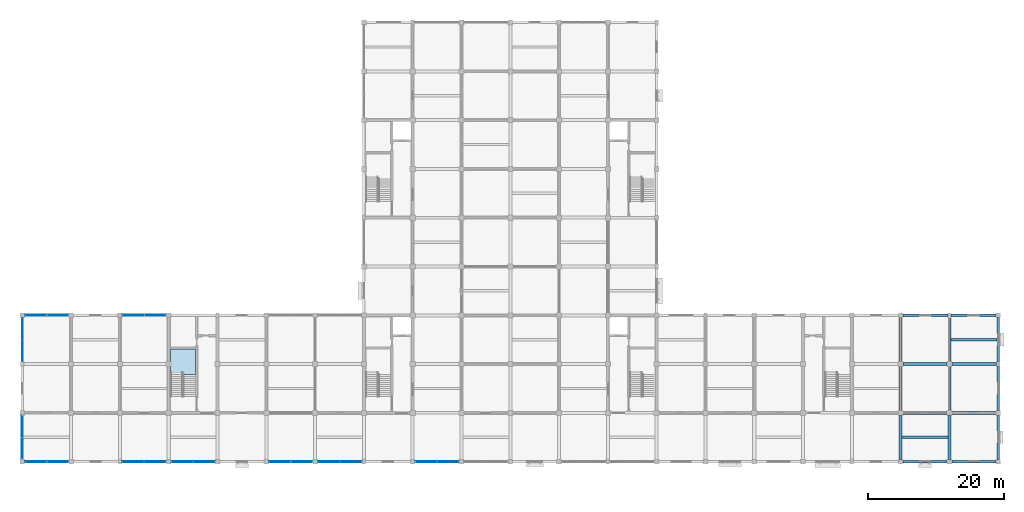
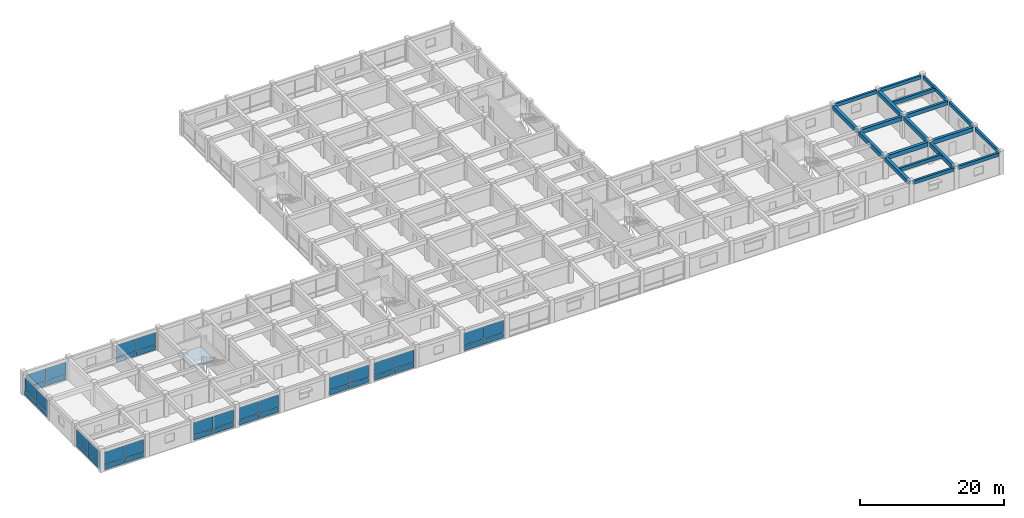
# One storey, part 11 of 25: 40 plates, 19 beams, 1 slab, 11 elements without a shape of their own.
"""IFC4 building model written with IfcOpenShell, lengths in metres."""

from ifc_helpers import new_model, si_unit, direction, frame, origin, origin_2d, place, context, subcontext, project, spatial, polyline, rectangle, outline, extrude, material, layer, layer_set, material_profile, profile_set, type_object, element, aggregate, save


model = new_model("IFC4")

# Units and contexts
model_context = context("Model", 3, precision=1e-05, world=origin(), true_north=direction((0.0, 1.0)))
body_context = subcontext(model_context, "Body", "Model", "MODEL_VIEW")
ifc_project = project(units=[si_unit("LENGTHUNIT", "METRE"), si_unit("AREAUNIT", "SQUARE_METRE"), si_unit("VOLUMEUNIT", "CUBIC_METRE"), si_unit("PLANEANGLEUNIT", "RADIAN"), si_unit("MASSUNIT", "GRAM", prefix="KILO")], contexts=[model_context])

# Site, building, storey
site_placement = place(None, origin())
site = spatial("IfcSite", under=ifc_project, at=site_placement, CompositionType="ELEMENT")
building_placement = place(site_placement, origin())
building = spatial("IfcBuilding", under=site, at=building_placement, Name="Cendaluz Park School", CompositionType="ELEMENT")
storey_placement = place(building_placement, frame((0.0, 0.0, 18.60009765625)))
storey = spatial("IfcBuildingStorey", under=building, at=storey_placement, Name="L04", CompositionType="ELEMENT", Elevation=18.60009765625)

# Beams
ifc_material_1 = material(Name="Concrete C40/50", Category="concrete")
ifc_material_profile_1 = material_profile(ifc_material_1, rectangle(XDim=0.449951171875, YDim=0.719970703125, at=origin_2d()), Name="RC 450x720", Category="concrete")
ifc_profile_set_1 = profile_set([ifc_material_profile_1], Name="Concrete C40/50")
beam_type_1 = type_object("IfcBeamType", Name="BM-RC02", PredefinedType="BEAM", material=ifc_profile_set_1)
for number, where, z_axis, x_axis, name in (
    (1, (144.375, 14.39990234375, 3.329833984375), (1.0, 0.0, 0.0), (0.0, 1.0, 0.0), "BM-L04-BMRC02-0104"),
    (2, (144.375, 21.60009765625, 3.329833984375), (1.0, 0.0, 0.0), (0.0, 1.0, 0.0), "BM-L04-BMRC02-0105"),
):
    element("IfcBeam", number, at=place(storey_placement, frame(where, z_axis=z_axis, x_axis=x_axis)), inside=storey, type_object=beam_type_1, Name=name, PredefinedType="BEAM", context=body_context, shape_type="SweptSolid", body=[
        extrude(rectangle(XDim=0.449951171875, YDim=0.719970703125, at=origin_2d()), origin(), (0.0, 0.0, 1.0), 6.449951171875),
    ])
beam_1_placement = place(storey_placement, frame((151.574951171875, 14.39990234375, 3.329833984375), z_axis=(1.0, 0.0, 0.0), x_axis=(0.0, 1.0, 0.0)))
element("IfcBeam", 3, at=beam_1_placement, inside=storey, type_object=beam_type_1, Name="BM-L04-BMRC02-0108", PredefinedType="BEAM", context=body_context, shape_type="SweptSolid", body=[
    extrude(rectangle(XDim=0.449951171875, YDim=0.719970703125, at=origin_2d()), origin(), (0.0, 0.0, 1.0), 6.47509765625),
])
beam_2_placement = place(storey_placement, frame((144.0, 7.550048828125, 3.329833984375), z_axis=(0.0, 1.0, 0.0), x_axis=(-1.0, 0.0, 0.0)))
element("IfcBeam", 4, at=beam_2_placement, inside=storey, type_object=beam_type_1, Name="BM-L04-BMRC02-0207", PredefinedType="BEAM", context=body_context, shape_type="SweptSolid", body=[
    extrude(rectangle(XDim=0.449951171875, YDim=0.719970703125, at=origin_2d()), origin(), (0.0, 0.0, 1.0), 6.474853515625),
])
beam_3_placement = place(storey_placement, frame((144.0, 14.77490234375, 3.329833984375), z_axis=(0.0, 1.0, 0.0), x_axis=(-1.0, 0.0, 0.0)))
element("IfcBeam", 5, at=beam_3_placement, inside=storey, type_object=beam_type_1, Name="BM-L04-BMRC02-0208", PredefinedType="BEAM", context=body_context, shape_type="SweptSolid", body=[
    extrude(rectangle(XDim=0.449951171875, YDim=0.719970703125, at=origin_2d()), origin(), (0.0, 0.0, 1.0), 6.4501953125),
])
for number, where, z_axis, x_axis, name in (
    (6, (144.0, 21.97509765625, 3.329833984375), (0.0, 1.0, 0.0), (-1.0, 0.0, 0.0), "BM-L04-BMRC02-0209"),
    (7, (151.199951171875, 7.550048828125, 3.329833984375), (0.0, 1.0, 0.0), (-1.0, 0.0, 0.0), "BM-L04-BMRC02-0210"),
):
    element("IfcBeam", number, at=place(storey_placement, frame(where, z_axis=z_axis, x_axis=x_axis)), inside=storey, type_object=beam_type_1, Name=name, PredefinedType="BEAM", context=body_context, shape_type="SweptSolid", body=[
        extrude(rectangle(XDim=0.449951171875, YDim=0.719970703125, at=origin_2d()), origin(), (0.0, 0.0, 1.0), 6.474853515625),
    ])
beam_4_placement = place(storey_placement, frame((151.199951171875, 14.77490234375, 3.329833984375), z_axis=(0.0, 1.0, 0.0), x_axis=(-1.0, 0.0, 0.0)))
element("IfcBeam", 8, at=beam_4_placement, inside=storey, type_object=beam_type_1, Name="BM-L04-BMRC02-0211", PredefinedType="BEAM", context=body_context, shape_type="SweptSolid", body=[
    extrude(rectangle(XDim=0.449951171875, YDim=0.719970703125, at=origin_2d()), origin(), (0.0, 0.0, 1.0), 6.4501953125),
])
beam_5_placement = place(storey_placement, frame((151.199951171875, 21.97509765625, 3.329833984375), z_axis=(0.0, 1.0, 0.0), x_axis=(-1.0, 0.0, 0.0)))
element("IfcBeam", 9, at=beam_5_placement, inside=storey, type_object=beam_type_1, Name="BM-L04-BMRC02-0212", PredefinedType="BEAM", context=body_context, shape_type="SweptSolid", body=[
    extrude(rectangle(XDim=0.449951171875, YDim=0.719970703125, at=origin_2d()), origin(), (0.0, 0.0, 1.0), 6.449951171875),
])
ifc_material_profile_2 = material_profile(ifc_material_1, rectangle(XDim=0.39990234375, YDim=0.64990234375, at=origin_2d()), Name="RC 400x650", Category="concrete")
ifc_profile_set_2 = profile_set([ifc_material_profile_2], Name="Concrete C40/50")
beam_type_2 = type_object("IfcBeamType", Name="BM-RC03", PredefinedType="T_BEAM", material=ifc_profile_set_2)
beam_6_placement = place(storey_placement, frame((151.574951171875, 21.60009765625, 3.364990234375), z_axis=(1.0, 0.0, 0.0), x_axis=(0.0, 1.0, 0.0)))
element("IfcBeam", 10, at=beam_6_placement, inside=storey, type_object=beam_type_2, Name="BM-L04-BMRC03-0109", PredefinedType="T_BEAM", context=body_context, shape_type="SweptSolid", body=[
    extrude(rectangle(XDim=0.39990234375, YDim=0.64990234375, at=origin_2d()), origin(), (0.0, 0.0, 1.0), 6.574951171875),
])
ifc_material_profile_3 = material_profile(ifc_material_1, rectangle(XDim=0.35009765625, YDim=0.580078125, at=origin_2d()), Name="RC 350x580", Category="concrete")
ifc_profile_set_3 = profile_set([ifc_material_profile_3], Name="Concrete C40/50")
beam_type_3 = type_object("IfcBeamType", Name="BM-RC04", PredefinedType="LINTEL", material=ifc_profile_set_3)
beam_7_placement = place(storey_placement, frame((144.35009765625, 7.199951171875, 3.39990234375), z_axis=(1.0, 0.0, 0.0), x_axis=(0.0, 1.0, 0.0)))
element("IfcBeam", 11, at=beam_7_placement, inside=storey, type_object=beam_type_3, Name="BM-L04-BMRC04-0103", PredefinedType="LINTEL", context=body_context, shape_type="SweptSolid", body=[
    extrude(rectangle(XDim=0.35009765625, YDim=0.580078125, at=origin_2d()), origin(), (0.0, 0.0, 1.0), 6.5),
])
beam_8_placement = place(storey_placement, frame((144.35009765625, 28.800048828125, 3.39990234375), z_axis=(1.0, 0.0, 0.0), x_axis=(0.0, 1.0, 0.0)))
element("IfcBeam", 12, at=beam_8_placement, inside=storey, type_object=beam_type_3, Name="BM-L04-BMRC04-0106", PredefinedType="LINTEL", context=body_context, shape_type="SweptSolid", body=[
    extrude(rectangle(XDim=0.35009765625, YDim=0.580078125, at=origin_2d()), origin(), (0.0, 0.0, 1.0), 6.599853515625),
])
beam_9_placement = place(storey_placement, frame((151.550048828125, 7.199951171875, 3.39990234375), z_axis=(1.0, 0.0, 0.0), x_axis=(0.0, 1.0, 0.0)))
element("IfcBeam", 13, at=beam_9_placement, inside=storey, type_object=beam_type_3, Name="BM-L04-BMRC04-0107", PredefinedType="LINTEL", context=body_context, shape_type="SweptSolid", body=[
    extrude(rectangle(XDim=0.35009765625, YDim=0.580078125, at=origin_2d()), origin(), (0.0, 0.0, 1.0), 6.5),
])
beam_10_placement = place(storey_placement, frame((151.449951171875, 28.800048828125, 3.39990234375), z_axis=(1.0, 0.0, 0.0), x_axis=(0.0, 1.0, 0.0)))
element("IfcBeam", 14, at=beam_10_placement, inside=storey, type_object=beam_type_3, Name="BM-L04-BMRC04-0110", PredefinedType="LINTEL", context=body_context, shape_type="SweptSolid", body=[
    extrude(rectangle(XDim=0.35009765625, YDim=0.580078125, at=origin_2d()), origin(), (0.0, 0.0, 1.0), 6.60009765625),
])
beam_11_placement = place(storey_placement, frame((158.39990234375, 7.550048828125, 3.39990234375), z_axis=(0.0, 1.0, 0.0), x_axis=(-1.0, 0.0, 0.0)))
element("IfcBeam", 15, at=beam_11_placement, inside=storey, type_object=beam_type_3, Name="BM-L04-BMRC04-0213", PredefinedType="LINTEL", context=body_context, shape_type="SweptSolid", body=[
    extrude(rectangle(XDim=0.35009765625, YDim=0.580078125, at=origin_2d()), origin(), (0.0, 0.0, 1.0), 6.5),
])
beam_12_placement = place(storey_placement, frame((158.39990234375, 14.75, 3.39990234375), z_axis=(0.0, 1.0, 0.0), x_axis=(-1.0, 0.0, 0.0)))
element("IfcBeam", 16, at=beam_12_placement, inside=storey, type_object=beam_type_3, Name="BM-L04-BMRC04-0214", PredefinedType="LINTEL", context=body_context, shape_type="SweptSolid", body=[
    extrude(rectangle(XDim=0.35009765625, YDim=0.580078125, at=origin_2d()), origin(), (0.0, 0.0, 1.0), 6.47509765625),
])
beam_13_placement = place(storey_placement, frame((158.39990234375, 21.97509765625, 3.39990234375), z_axis=(0.0, 1.0, 0.0), x_axis=(-1.0, 0.0, 0.0)))
element("IfcBeam", 17, at=beam_13_placement, inside=storey, type_object=beam_type_3, Name="BM-L04-BMRC04-0215", PredefinedType="LINTEL", context=body_context, shape_type="SweptSolid", body=[
    extrude(rectangle(XDim=0.35009765625, YDim=0.580078125, at=origin_2d()), origin(), (0.0, 0.0, 1.0), 6.474853515625),
])
ifc_material_profile_4 = material_profile(ifc_material_1, rectangle(XDim=0.35009765625, YDim=0.580078125, at=origin_2d()), Name="RC 350x580", Category="concrete")
ifc_profile_set_4 = profile_set([ifc_material_profile_4], Name="Concrete C40/50")
beam_type_4 = type_object("IfcBeamType", Name="JT-RC01", PredefinedType="JOIST", material=ifc_profile_set_4)
beam_14_placement = place(storey_placement, frame((144.22509765625, 10.800048828125, 3.39990234375), z_axis=(1.0, 0.0, 0.0), x_axis=(0.0, 1.0, 0.0)))
element("IfcBeam", 18, at=beam_14_placement, inside=storey, type_object=beam_type_4, Name="BM-L04-JTRC01-0242", PredefinedType="JOIST", context=body_context, shape_type="SweptSolid", body=[
    extrude(rectangle(XDim=0.35009765625, YDim=0.580078125, at=origin_2d()), origin(), (0.0, 0.0, 1.0), 6.75),
])
beam_15_placement = place(storey_placement, frame((151.425048828125, 25.199951171875, 3.39990234375), z_axis=(1.0, 0.0, 0.0), x_axis=(0.0, 1.0, 0.0)))
element("IfcBeam", 19, at=beam_15_placement, inside=storey, type_object=beam_type_4, Name="BM-L04-JTRC01-0243", PredefinedType="JOIST", context=body_context, shape_type="SweptSolid", body=[
    extrude(rectangle(XDim=0.35009765625, YDim=0.580078125, at=origin_2d()), origin(), (0.0, 0.0, 1.0), 6.800048828125),
])

# Curtain wall, plates
ifc_material_2 = material(Name="Anodised Aluminium 6063-T6", Category="aluminium")
ifc_layer_1 = layer(ifc_material_2, 0.179931640625)
ifc_layer_set_1 = layer_set([ifc_layer_1], Name="Anodised Aluminium 6063-T6")
curtain_wall_type_1 = type_object("IfcCurtainWallType", Name="CW-130x62", PredefinedType="NOTDEFINED", material=ifc_layer_set_1)
curtain_wall_1_placement = place(storey_placement, origin())
curtain_wall_1 = element("IfcCurtainWall", 20, at=curtain_wall_1_placement, inside=storey, type_object=curtain_wall_type_1, Name="CW-L04-168", PredefinedType="NOTDEFINED")
ifc_material_3 = material(Name="Tempered Low-E Double Glazing", Category="glass")
ifc_layer_2 = layer(ifc_material_3, 0.028076171875)
ifc_layer_set_2 = layer_set([ifc_layer_2], Name="Tempered Low-E Double Glazing")
plate_type_1 = type_object("IfcPlateType", Name="CWP-G01", PredefinedType="CURTAIN_PANEL", material=ifc_layer_set_2)
plate_1_placement = place(storey_placement, frame((52.39501953125, 7.199951171875, 0.93994140625), z_axis=(0.0, 0.0, 1.0), x_axis=(1.0, 0.0, 0.0)))
plate_1 = element("IfcPlate", 21, at=plate_1_placement, type_object=plate_type_1, Name="CP-L04-2179", PredefinedType="CURTAIN_PANEL", context=body_context, shape_type="SweptSolid", body=[
    extrude(rectangle(XDim=3.1298828125, YDim=0.028076171875, at=origin_2d()), origin(), (0.0, 0.0, 1.0), 2.090087890625),
])
plate_2_placement = place(storey_placement, frame((55.60498046875, 7.199951171875, 0.93994140625), z_axis=(0.0, 0.0, 1.0), x_axis=(1.0, 0.0, 0.0)))
plate_2 = element("IfcPlate", 22, at=plate_2_placement, type_object=plate_type_1, Name="CP-L04-2184", PredefinedType="CURTAIN_PANEL", context=body_context, shape_type="SweptSolid", body=[
    extrude(rectangle(XDim=3.1298828125, YDim=0.028076171875, at=origin_2d()), origin(), (0.0, 0.0, 1.0), 2.090087890625),
])

ifc_layer_3 = layer(ifc_material_2, 0.179931640625)
ifc_layer_set_3 = layer_set([ifc_layer_3], Name="Anodised Aluminium 6063-T6")
curtain_wall_type_2 = type_object("IfcCurtainWallType", Name="CW-132x62", PredefinedType="NOTDEFINED", material=ifc_layer_set_3)
curtain_wall_2_placement = place(storey_placement, origin())
curtain_wall_2 = element("IfcCurtainWall", 23, at=curtain_wall_2_placement, inside=storey, type_object=curtain_wall_type_2, Name="CW-L04-165", PredefinedType="NOTDEFINED")
ifc_layer_4 = layer(ifc_material_3, 0.0380859375)
ifc_layer_set_4 = layer_set([ifc_layer_4], Name="Tempered Low-E Double Glazing")
plate_type_2 = type_object("IfcPlateType", Name="CWP-G02", PredefinedType="CURTAIN_PANEL", material=ifc_layer_set_4)
plate_3_placement = place(storey_placement, frame((30.719970703125, 7.199951171875, 0.93994140625), z_axis=(0.0, 0.0, 1.0), x_axis=(1.0, 0.0, 0.0)))
plate_3 = element("IfcPlate", 24, at=plate_3_placement, type_object=plate_type_2, Name="CP-L04-2140", PredefinedType="CURTAIN_PANEL", context=body_context, shape_type="SweptSolid", body=[
    extrude(rectangle(XDim=3.179931640625, YDim=0.0380859375, at=origin_2d()), origin(), (0.0, 0.0, 1.0), 2.090087890625),
])
plate_4_placement = place(storey_placement, frame((33.97998046875, 7.199951171875, 0.93994140625), z_axis=(0.0, 0.0, 1.0), x_axis=(1.0, 0.0, 0.0)))
plate_4 = element("IfcPlate", 25, at=plate_4_placement, type_object=plate_type_2, Name="CP-L04-2145", PredefinedType="CURTAIN_PANEL", context=body_context, shape_type="SweptSolid", body=[
    extrude(rectangle(XDim=3.179931640625, YDim=0.0380859375, at=origin_2d()), origin(), (0.0, 0.0, 1.0), 2.090087890625),
])

curtain_wall_3_placement = place(storey_placement, origin())
curtain_wall_3 = element("IfcCurtainWall", 26, at=curtain_wall_3_placement, inside=storey, type_object=curtain_wall_type_1, Name="CW-L04-166", PredefinedType="NOTDEFINED")
plate_5_placement = place(storey_placement, frame((30.794921875, 28.800048828125, 0.93994140625), z_axis=(0.0, 0.0, 1.0), x_axis=(1.0, 0.0, 0.0)))
plate_5 = element("IfcPlate", 27, at=plate_5_placement, type_object=plate_type_2, Name="CP-L04-2153", PredefinedType="CURTAIN_PANEL", context=body_context, shape_type="SweptSolid", body=[
    extrude(rectangle(XDim=3.1298828125, YDim=0.0380859375, at=origin_2d()), origin(), (0.0, 0.0, 1.0), 2.090087890625),
])
plate_6_placement = place(storey_placement, frame((34.0048828125, 28.800048828125, 0.93994140625), z_axis=(0.0, 0.0, 1.0), x_axis=(1.0, 0.0, 0.0)))
plate_6 = element("IfcPlate", 28, at=plate_6_placement, type_object=plate_type_2, Name="CP-L04-2158", PredefinedType="CURTAIN_PANEL", context=body_context, shape_type="SweptSolid", body=[
    extrude(rectangle(XDim=3.1298828125, YDim=0.0380859375, at=origin_2d()), origin(), (0.0, 0.0, 1.0), 2.090087890625),
])

curtain_wall_4_placement = place(storey_placement, origin())
curtain_wall_4 = element("IfcCurtainWall", 29, at=curtain_wall_4_placement, inside=storey, type_object=curtain_wall_type_2, Name="CW-L04-170", PredefinedType="NOTDEFINED")
plate_7_placement = place(storey_placement, frame((59.6201171875, 7.199951171875, 0.93994140625), z_axis=(0.0, 0.0, 1.0), x_axis=(1.0, 0.0, 0.0)))
plate_7 = element("IfcPlate", 30, at=plate_7_placement, type_object=plate_type_2, Name="CP-L04-2205", PredefinedType="CURTAIN_PANEL", context=body_context, shape_type="SweptSolid", body=[
    extrude(rectangle(XDim=3.179931640625, YDim=0.0380859375, at=origin_2d()), origin(), (0.0, 0.0, 1.0), 2.090087890625),
])
plate_8_placement = place(storey_placement, frame((62.8798828125, 7.199951171875, 0.93994140625), z_axis=(0.0, 0.0, 1.0), x_axis=(1.0, 0.0, 0.0)))
plate_8 = element("IfcPlate", 31, at=plate_8_placement, type_object=plate_type_2, Name="CP-L04-2210", PredefinedType="CURTAIN_PANEL", context=body_context, shape_type="SweptSolid", body=[
    extrude(rectangle(XDim=3.179931640625, YDim=0.0380859375, at=origin_2d()), origin(), (0.0, 0.0, 1.0), 2.090087890625),
])

curtain_wall_5_placement = place(storey_placement, origin())
curtain_wall_5 = element("IfcCurtainWall", 32, at=curtain_wall_5_placement, inside=storey, type_object=curtain_wall_type_1, Name="CW-L04-167", PredefinedType="NOTDEFINED")
ifc_layer_5 = layer(ifc_material_3, 0.048095703125)
ifc_layer_set_5 = layer_set([ifc_layer_5], Name="Tempered Low-E Double Glazing")
plate_type_3 = type_object("IfcPlateType", Name="CWP-G03", PredefinedType="CURTAIN_PANEL", material=ifc_layer_set_5)
plate_9_placement = place(storey_placement, frame((37.9951171875, 7.199951171875, 0.93994140625), z_axis=(0.0, 0.0, 1.0), x_axis=(1.0, 0.0, 0.0)))
plate_9 = element("IfcPlate", 33, at=plate_9_placement, type_object=plate_type_3, Name="CP-L04-2166", PredefinedType="CURTAIN_PANEL", context=body_context, shape_type="SweptSolid", body=[
    extrude(rectangle(XDim=3.1298828125, YDim=0.048095703125, at=origin_2d()), origin(), (0.0, 0.0, 1.0), 2.090087890625),
])
plate_10_placement = place(storey_placement, frame((41.205078125, 7.199951171875, 0.93994140625), z_axis=(0.0, 0.0, 1.0), x_axis=(1.0, 0.0, 0.0)))
plate_10 = element("IfcPlate", 34, at=plate_10_placement, type_object=plate_type_3, Name="CP-L04-2171", PredefinedType="CURTAIN_PANEL", context=body_context, shape_type="SweptSolid", body=[
    extrude(rectangle(XDim=3.1298828125, YDim=0.048095703125, at=origin_2d()), origin(), (0.0, 0.0, 1.0), 2.090087890625),
])

curtain_wall_6_placement = place(storey_placement, origin())
curtain_wall_6 = element("IfcCurtainWall", 35, at=curtain_wall_6_placement, inside=storey, type_object=curtain_wall_type_1, Name="CW-L04-161", PredefinedType="NOTDEFINED")
ifc_layer_6 = layer(ifc_material_3, 0.05810546875)
ifc_layer_set_6 = layer_set([ifc_layer_6], Name="Tempered Low-E Double Glazing")
plate_type_4 = type_object("IfcPlateType", Name="CWP-G04", PredefinedType="CURTAIN_PANEL", material=ifc_layer_set_6)
plate_11_placement = place(storey_placement, frame((16.39501953125, 7.199951171875, 0.93994140625), z_axis=(0.0, 0.0, 1.0), x_axis=(1.0, 0.0, 0.0)))
plate_11 = element("IfcPlate", 36, at=plate_11_placement, type_object=plate_type_4, Name="CP-L04-2088", PredefinedType="CURTAIN_PANEL", context=body_context, shape_type="SweptSolid", body=[
    extrude(rectangle(XDim=3.1298828125, YDim=0.05810546875, at=origin_2d()), origin(), (0.0, 0.0, 1.0), 2.090087890625),
])
plate_12_placement = place(storey_placement, frame((19.60498046875, 7.199951171875, 0.93994140625), z_axis=(0.0, 0.0, 1.0), x_axis=(1.0, 0.0, 0.0)))
plate_12 = element("IfcPlate", 37, at=plate_12_placement, type_object=plate_type_4, Name="CP-L04-2093", PredefinedType="CURTAIN_PANEL", context=body_context, shape_type="SweptSolid", body=[
    extrude(rectangle(XDim=3.1298828125, YDim=0.05810546875, at=origin_2d()), origin(), (0.0, 0.0, 1.0), 2.090087890625),
])

curtain_wall_7_placement = place(storey_placement, origin())
curtain_wall_7 = element("IfcCurtainWall", 38, at=curtain_wall_7_placement, inside=storey, type_object=curtain_wall_type_1, Name="CW-L04-162", PredefinedType="NOTDEFINED")
plate_13_placement = place(storey_placement, frame((14.39990234375, 9.195068359375, 0.93994140625), z_axis=(0.0, 0.0, 1.0), x_axis=(0.0, 1.0, 0.0)))
plate_13 = element("IfcPlate", 39, at=plate_13_placement, type_object=plate_type_4, Name="CP-L04-2101", PredefinedType="CURTAIN_PANEL", context=body_context, shape_type="SweptSolid", body=[
    extrude(rectangle(XDim=3.1298828125, YDim=0.05810546875, at=origin_2d()), origin(), (0.0, 0.0, 1.0), 2.090087890625),
])
plate_14_placement = place(storey_placement, frame((14.39990234375, 12.405029296875, 0.93994140625), z_axis=(0.0, 0.0, 1.0), x_axis=(0.0, 1.0, 0.0)))
plate_14 = element("IfcPlate", 40, at=plate_14_placement, type_object=plate_type_4, Name="CP-L04-2106", PredefinedType="CURTAIN_PANEL", context=body_context, shape_type="SweptSolid", body=[
    extrude(rectangle(XDim=3.1298828125, YDim=0.05810546875, at=origin_2d()), origin(), (0.0, 0.0, 1.0), 2.090087890625),
])

curtain_wall_8_placement = place(storey_placement, origin())
curtain_wall_8 = element("IfcCurtainWall", 41, at=curtain_wall_8_placement, inside=storey, type_object=curtain_wall_type_1, Name="CW-L04-163", PredefinedType="NOTDEFINED")
plate_15_placement = place(storey_placement, frame((16.39501953125, 28.800048828125, 0.93994140625), z_axis=(0.0, 0.0, 1.0), x_axis=(1.0, 0.0, 0.0)))
plate_15 = element("IfcPlate", 42, at=plate_15_placement, type_object=plate_type_4, Name="CP-L04-2114", PredefinedType="CURTAIN_PANEL", context=body_context, shape_type="SweptSolid", body=[
    extrude(rectangle(XDim=3.1298828125, YDim=0.05810546875, at=origin_2d()), origin(), (0.0, 0.0, 1.0), 2.090087890625),
])
plate_16_placement = place(storey_placement, frame((19.60498046875, 28.800048828125, 0.93994140625), z_axis=(0.0, 0.0, 1.0), x_axis=(1.0, 0.0, 0.0)))
plate_16 = element("IfcPlate", 43, at=plate_16_placement, type_object=plate_type_4, Name="CP-L04-2119", PredefinedType="CURTAIN_PANEL", context=body_context, shape_type="SweptSolid", body=[
    extrude(rectangle(XDim=3.1298828125, YDim=0.05810546875, at=origin_2d()), origin(), (0.0, 0.0, 1.0), 2.090087890625),
])

curtain_wall_9_placement = place(storey_placement, origin())
curtain_wall_9 = element("IfcCurtainWall", 44, at=curtain_wall_9_placement, inside=storey, type_object=curtain_wall_type_1, Name="CW-L04-164", PredefinedType="NOTDEFINED")
plate_17_placement = place(storey_placement, frame((14.39990234375, 23.61376953125, 0.93994140625), z_axis=(0.0, 0.0, 1.0), x_axis=(0.0, 1.0, 0.0)))
plate_17 = element("IfcPlate", 45, at=plate_17_placement, type_object=plate_type_4, Name="CP-L04-2127", PredefinedType="CURTAIN_PANEL", context=body_context, shape_type="SweptSolid", body=[
    extrude(rectangle(XDim=3.117431640625, YDim=0.05810546875, at=origin_2d()), origin(), (0.0, 0.0, 1.0), 2.090087890625),
])
plate_18_placement = place(storey_placement, frame((14.39990234375, 26.811279296875, 0.93994140625), z_axis=(0.0, 0.0, 1.0), x_axis=(0.0, 1.0, 0.0)))
plate_18 = element("IfcPlate", 46, at=plate_18_placement, type_object=plate_type_4, Name="CP-L04-2132", PredefinedType="CURTAIN_PANEL", context=body_context, shape_type="SweptSolid", body=[
    extrude(rectangle(XDim=3.117431640625, YDim=0.05810546875, at=origin_2d()), origin(), (0.0, 0.0, 1.0), 2.090087890625),
])

curtain_wall_10_placement = place(storey_placement, origin())
curtain_wall_10 = element("IfcCurtainWall", 47, at=curtain_wall_10_placement, inside=storey, type_object=curtain_wall_type_1, Name="CW-L04-175", PredefinedType="NOTDEFINED")
plate_19_placement = place(storey_placement, frame((73.9951171875, 7.199951171875, 0.93994140625), z_axis=(0.0, 0.0, 1.0), x_axis=(1.0, 0.0, 0.0)))
plate_19 = element("IfcPlate", 48, at=plate_19_placement, type_object=plate_type_4, Name="CP-L04-2270", PredefinedType="CURTAIN_PANEL", context=body_context, shape_type="SweptSolid", body=[
    extrude(rectangle(XDim=3.1298828125, YDim=0.05810546875, at=origin_2d()), origin(), (0.0, 0.0, 1.0), 2.090087890625),
])
plate_20_placement = place(storey_placement, frame((77.205078125, 7.199951171875, 0.93994140625), z_axis=(0.0, 0.0, 1.0), x_axis=(1.0, 0.0, 0.0)))
plate_20 = element("IfcPlate", 49, at=plate_20_placement, type_object=plate_type_4, Name="CP-L04-2275", PredefinedType="CURTAIN_PANEL", context=body_context, shape_type="SweptSolid", body=[
    extrude(rectangle(XDim=3.1298828125, YDim=0.05810546875, at=origin_2d()), origin(), (0.0, 0.0, 1.0), 2.090087890625),
])

# Plate
ifc_layer_7 = layer(ifc_material_2, 0.080078125)
ifc_layer_set_7 = layer_set([ifc_layer_7], Name="Anodised Aluminium 6063-T6")
plate_type_5 = type_object("IfcPlateType", Name="CWP-S01", PredefinedType="CURTAIN_PANEL", material=ifc_layer_set_7)
plate_21_placement = place(storey_placement, frame((14.39990234375, 23.61376953125, 0.080078125), z_axis=(0.0, 0.0, 1.0), x_axis=(0.0, 1.0, 0.0)))
plate_21 = element("IfcPlate", 50, at=plate_21_placement, type_object=plate_type_5, Name="CP-L04-2126", PredefinedType="CURTAIN_PANEL", context=body_context, shape_type="SweptSolid", body=[
    extrude(rectangle(XDim=3.117431640625, YDim=0.080078125, at=origin_2d()), origin(), (0.0, 0.0, 1.0), 0.780029296875),
])

plate_22_placement = place(storey_placement, frame((14.39990234375, 26.811279296875, 0.080078125), z_axis=(0.0, 0.0, 1.0), x_axis=(0.0, 1.0, 0.0)))
plate_22 = element("IfcPlate", 51, at=plate_22_placement, type_object=plate_type_5, Name="CP-L04-2131", PredefinedType="CURTAIN_PANEL", context=body_context, shape_type="SweptSolid", body=[
    extrude(rectangle(XDim=3.117431640625, YDim=0.080078125, at=origin_2d()), origin(), (0.0, 0.0, 1.0), 0.780029296875),
])

aggregate(curtain_wall_9, [plate_21, plate_17, plate_22, plate_18])

ifc_layer_8 = layer(ifc_material_2, 0.094970703125)
ifc_layer_set_8 = layer_set([ifc_layer_8], Name="Anodised Aluminium 6063-T6")
plate_type_6 = type_object("IfcPlateType", Name="CWP-S02", PredefinedType="CURTAIN_PANEL", material=ifc_layer_set_8)
plate_23_placement = place(storey_placement, frame((16.39501953125, 28.800048828125, 0.080078125), z_axis=(0.0, 0.0, 1.0), x_axis=(1.0, 0.0, 0.0)))
plate_23 = element("IfcPlate", 52, at=plate_23_placement, type_object=plate_type_6, Name="CP-L04-2113", PredefinedType="CURTAIN_PANEL", context=body_context, shape_type="SweptSolid", body=[
    extrude(rectangle(XDim=3.1298828125, YDim=0.094970703125, at=origin_2d()), origin(), (0.0, 0.0, 1.0), 0.780029296875),
])

plate_24_placement = place(storey_placement, frame((19.60498046875, 28.800048828125, 0.080078125), z_axis=(0.0, 0.0, 1.0), x_axis=(1.0, 0.0, 0.0)))
plate_24 = element("IfcPlate", 53, at=plate_24_placement, type_object=plate_type_6, Name="CP-L04-2118", PredefinedType="CURTAIN_PANEL", context=body_context, shape_type="SweptSolid", body=[
    extrude(rectangle(XDim=3.1298828125, YDim=0.094970703125, at=origin_2d()), origin(), (0.0, 0.0, 1.0), 0.780029296875),
])

aggregate(curtain_wall_8, [plate_23, plate_15, plate_24, plate_16])

plate_25_placement = place(storey_placement, frame((30.794921875, 28.800048828125, 0.080078125), z_axis=(0.0, 0.0, 1.0), x_axis=(1.0, 0.0, 0.0)))
plate_25 = element("IfcPlate", 54, at=plate_25_placement, type_object=plate_type_6, Name="CP-L04-2152", PredefinedType="CURTAIN_PANEL", context=body_context, shape_type="SweptSolid", body=[
    extrude(rectangle(XDim=3.1298828125, YDim=0.094970703125, at=origin_2d()), origin(), (0.0, 0.0, 1.0), 0.780029296875),
])

plate_26_placement = place(storey_placement, frame((34.0048828125, 28.800048828125, 0.080078125), z_axis=(0.0, 0.0, 1.0), x_axis=(1.0, 0.0, 0.0)))
plate_26 = element("IfcPlate", 55, at=plate_26_placement, type_object=plate_type_6, Name="CP-L04-2157", PredefinedType="CURTAIN_PANEL", context=body_context, shape_type="SweptSolid", body=[
    extrude(rectangle(XDim=3.1298828125, YDim=0.094970703125, at=origin_2d()), origin(), (0.0, 0.0, 1.0), 0.780029296875),
])

aggregate(curtain_wall_3, [plate_25, plate_5, plate_26, plate_6])

ifc_layer_9 = layer(ifc_material_2, 0.110107421875)
ifc_layer_set_9 = layer_set([ifc_layer_9], Name="Anodised Aluminium 6063-T6")
plate_type_7 = type_object("IfcPlateType", Name="CWP-S03", PredefinedType="CURTAIN_PANEL", material=ifc_layer_set_9)
plate_27_placement = place(storey_placement, frame((16.39501953125, 7.199951171875, 0.080078125), z_axis=(0.0, 0.0, 1.0), x_axis=(1.0, 0.0, 0.0)))
plate_27 = element("IfcPlate", 56, at=plate_27_placement, type_object=plate_type_7, Name="CP-L04-2087", PredefinedType="CURTAIN_PANEL", context=body_context, shape_type="SweptSolid", body=[
    extrude(rectangle(XDim=3.1298828125, YDim=0.110107421875, at=origin_2d()), origin(), (0.0, 0.0, 1.0), 0.780029296875),
])

plate_28_placement = place(storey_placement, frame((19.60498046875, 7.199951171875, 0.080078125), z_axis=(0.0, 0.0, 1.0), x_axis=(1.0, 0.0, 0.0)))
plate_28 = element("IfcPlate", 57, at=plate_28_placement, type_object=plate_type_7, Name="CP-L04-2092", PredefinedType="CURTAIN_PANEL", context=body_context, shape_type="SweptSolid", body=[
    extrude(rectangle(XDim=3.1298828125, YDim=0.110107421875, at=origin_2d()), origin(), (0.0, 0.0, 1.0), 0.780029296875),
])

aggregate(curtain_wall_6, [plate_27, plate_11, plate_28, plate_12])

plate_29_placement = place(storey_placement, frame((14.39990234375, 9.195068359375, 0.080078125), z_axis=(0.0, 0.0, 1.0), x_axis=(0.0, 1.0, 0.0)))
plate_29 = element("IfcPlate", 58, at=plate_29_placement, type_object=plate_type_7, Name="CP-L04-2100", PredefinedType="CURTAIN_PANEL", context=body_context, shape_type="SweptSolid", body=[
    extrude(rectangle(XDim=3.1298828125, YDim=0.110107421875, at=origin_2d()), origin(), (0.0, 0.0, 1.0), 0.780029296875),
])

plate_30_placement = place(storey_placement, frame((14.39990234375, 12.405029296875, 0.080078125), z_axis=(0.0, 0.0, 1.0), x_axis=(0.0, 1.0, 0.0)))
plate_30 = element("IfcPlate", 59, at=plate_30_placement, type_object=plate_type_7, Name="CP-L04-2105", PredefinedType="CURTAIN_PANEL", context=body_context, shape_type="SweptSolid", body=[
    extrude(rectangle(XDim=3.1298828125, YDim=0.110107421875, at=origin_2d()), origin(), (0.0, 0.0, 1.0), 0.780029296875),
])

aggregate(curtain_wall_7, [plate_29, plate_13, plate_30, plate_14])

plate_31_placement = place(storey_placement, frame((30.719970703125, 7.199951171875, 0.080078125), z_axis=(0.0, 0.0, 1.0), x_axis=(1.0, 0.0, 0.0)))
plate_31 = element("IfcPlate", 60, at=plate_31_placement, type_object=plate_type_7, Name="CP-L04-2139", PredefinedType="CURTAIN_PANEL", context=body_context, shape_type="SweptSolid", body=[
    extrude(rectangle(XDim=3.179931640625, YDim=0.110107421875, at=origin_2d()), origin(), (0.0, 0.0, 1.0), 0.780029296875),
])

plate_32_placement = place(storey_placement, frame((33.97998046875, 7.199951171875, 0.080078125), z_axis=(0.0, 0.0, 1.0), x_axis=(1.0, 0.0, 0.0)))
plate_32 = element("IfcPlate", 61, at=plate_32_placement, type_object=plate_type_7, Name="CP-L04-2144", PredefinedType="CURTAIN_PANEL", context=body_context, shape_type="SweptSolid", body=[
    extrude(rectangle(XDim=3.179931640625, YDim=0.110107421875, at=origin_2d()), origin(), (0.0, 0.0, 1.0), 0.780029296875),
])

aggregate(curtain_wall_2, [plate_31, plate_3, plate_32, plate_4])

plate_33_placement = place(storey_placement, frame((37.9951171875, 7.199951171875, 0.080078125), z_axis=(0.0, 0.0, 1.0), x_axis=(1.0, 0.0, 0.0)))
plate_33 = element("IfcPlate", 62, at=plate_33_placement, type_object=plate_type_7, Name="CP-L04-2165", PredefinedType="CURTAIN_PANEL", context=body_context, shape_type="SweptSolid", body=[
    extrude(rectangle(XDim=3.1298828125, YDim=0.110107421875, at=origin_2d()), origin(), (0.0, 0.0, 1.0), 0.780029296875),
])

plate_34_placement = place(storey_placement, frame((41.205078125, 7.199951171875, 0.080078125), z_axis=(0.0, 0.0, 1.0), x_axis=(1.0, 0.0, 0.0)))
plate_34 = element("IfcPlate", 63, at=plate_34_placement, type_object=plate_type_7, Name="CP-L04-2170", PredefinedType="CURTAIN_PANEL", context=body_context, shape_type="SweptSolid", body=[
    extrude(rectangle(XDim=3.1298828125, YDim=0.110107421875, at=origin_2d()), origin(), (0.0, 0.0, 1.0), 0.780029296875),
])

aggregate(curtain_wall_5, [plate_33, plate_9, plate_34, plate_10])

plate_35_placement = place(storey_placement, frame((52.39501953125, 7.199951171875, 0.080078125), z_axis=(0.0, 0.0, 1.0), x_axis=(1.0, 0.0, 0.0)))
plate_35 = element("IfcPlate", 64, at=plate_35_placement, type_object=plate_type_7, Name="CP-L04-2178", PredefinedType="CURTAIN_PANEL", context=body_context, shape_type="SweptSolid", body=[
    extrude(rectangle(XDim=3.1298828125, YDim=0.110107421875, at=origin_2d()), origin(), (0.0, 0.0, 1.0), 0.780029296875),
])

plate_36_placement = place(storey_placement, frame((55.60498046875, 7.199951171875, 0.080078125), z_axis=(0.0, 0.0, 1.0), x_axis=(1.0, 0.0, 0.0)))
plate_36 = element("IfcPlate", 65, at=plate_36_placement, type_object=plate_type_7, Name="CP-L04-2183", PredefinedType="CURTAIN_PANEL", context=body_context, shape_type="SweptSolid", body=[
    extrude(rectangle(XDim=3.1298828125, YDim=0.110107421875, at=origin_2d()), origin(), (0.0, 0.0, 1.0), 0.780029296875),
])

aggregate(curtain_wall_1, [plate_35, plate_1, plate_36, plate_2])

plate_37_placement = place(storey_placement, frame((59.6201171875, 7.199951171875, 0.080078125), z_axis=(0.0, 0.0, 1.0), x_axis=(1.0, 0.0, 0.0)))
plate_37 = element("IfcPlate", 66, at=plate_37_placement, type_object=plate_type_7, Name="CP-L04-2204", PredefinedType="CURTAIN_PANEL", context=body_context, shape_type="SweptSolid", body=[
    extrude(rectangle(XDim=3.179931640625, YDim=0.110107421875, at=origin_2d()), origin(), (0.0, 0.0, 1.0), 0.780029296875),
])

plate_38_placement = place(storey_placement, frame((62.8798828125, 7.199951171875, 0.080078125), z_axis=(0.0, 0.0, 1.0), x_axis=(1.0, 0.0, 0.0)))
plate_38 = element("IfcPlate", 67, at=plate_38_placement, type_object=plate_type_7, Name="CP-L04-2209", PredefinedType="CURTAIN_PANEL", context=body_context, shape_type="SweptSolid", body=[
    extrude(rectangle(XDim=3.179931640625, YDim=0.110107421875, at=origin_2d()), origin(), (0.0, 0.0, 1.0), 0.780029296875),
])

aggregate(curtain_wall_4, [plate_37, plate_7, plate_38, plate_8])

plate_39_placement = place(storey_placement, frame((73.9951171875, 7.199951171875, 0.080078125), z_axis=(0.0, 0.0, 1.0), x_axis=(1.0, 0.0, 0.0)))
plate_39 = element("IfcPlate", 68, at=plate_39_placement, type_object=plate_type_7, Name="CP-L04-2269", PredefinedType="CURTAIN_PANEL", context=body_context, shape_type="SweptSolid", body=[
    extrude(rectangle(XDim=3.1298828125, YDim=0.110107421875, at=origin_2d()), origin(), (0.0, 0.0, 1.0), 0.780029296875),
])

plate_40_placement = place(storey_placement, frame((77.205078125, 7.199951171875, 0.080078125), z_axis=(0.0, 0.0, 1.0), x_axis=(1.0, 0.0, 0.0)))
plate_40 = element("IfcPlate", 69, at=plate_40_placement, type_object=plate_type_7, Name="CP-L04-2274", PredefinedType="CURTAIN_PANEL", context=body_context, shape_type="SweptSolid", body=[
    extrude(rectangle(XDim=3.1298828125, YDim=0.110107421875, at=origin_2d()), origin(), (0.0, 0.0, 1.0), 0.780029296875),
])

aggregate(curtain_wall_10, [plate_39, plate_19, plate_40, plate_20])

# Stair, slab
stair_type = type_object("IfcStairType", Name="ST-400-180", PredefinedType="HALF_TURN_STAIR", material=ifc_material_1)
stair_placement = place(storey_placement, origin())
stair = element("IfcStair", 70, at=stair_placement, inside=storey, type_object=stair_type, Name="ST-L04-C5", PredefinedType="HALF_TURN_STAIR")
ifc_layer_10 = layer(ifc_material_1, 0.199951171875)
ifc_layer_set_10 = layer_set([ifc_layer_10], Name="Concrete C40/50")
slab_type = type_object("IfcSlabType", Name="SL-LD-200", PredefinedType="LANDING", material=ifc_layer_set_10)
slab_placement = place(storey_placement, frame((0.0, 0.0, 1.8798828125)))
slab = element("IfcSlab", 71, at=slab_placement, type_object=slab_type, Name="SL-LD-L04-C5", PredefinedType="LANDING", context=body_context, shape_type="SweptSolid", body=[
    extrude(outline(polyline([(36.2900390625, 20.360107421875), (38.125, 20.360107421875), (38.125, 20.06005859375), (39.969970703125, 20.06005859375), (39.969970703125, 23.860107421875), (36.2900390625, 23.860107421875), (36.2900390625, 20.360107421875)])), origin(), (0.0, 0.0, 1.0), 0.199951171875),
])
aggregate(stair, [slab])

save(model, "model.ifc")
